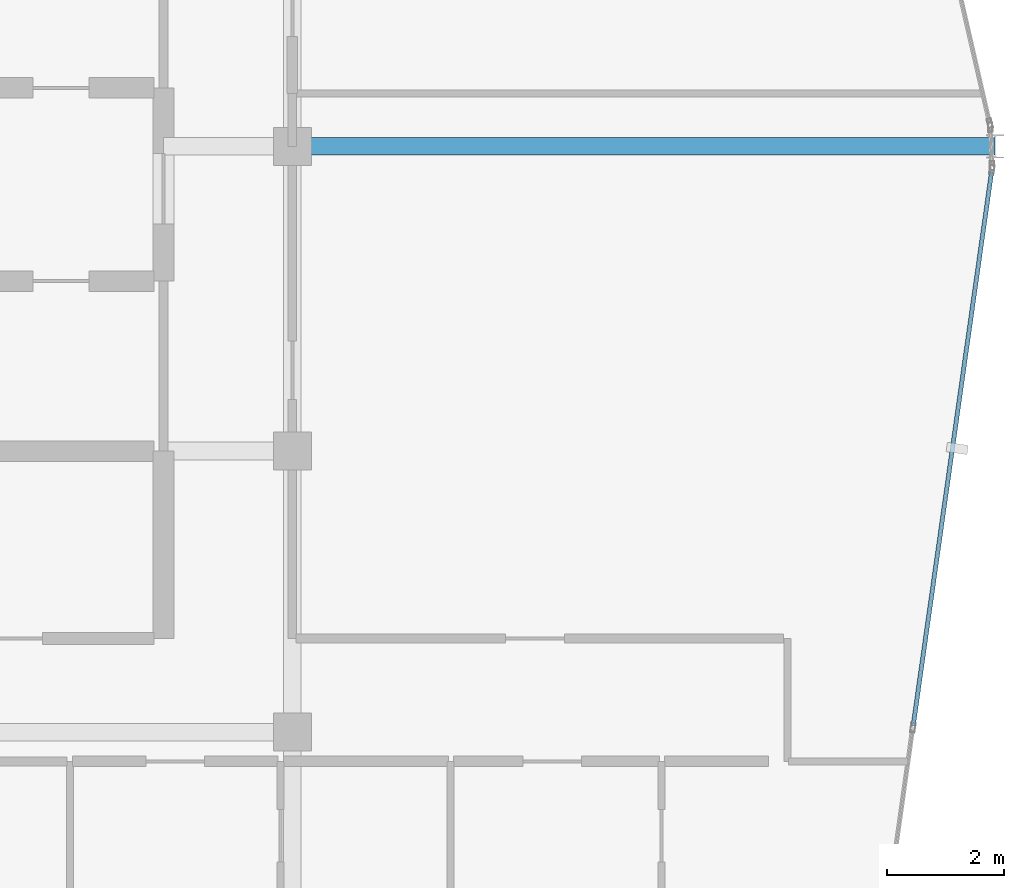
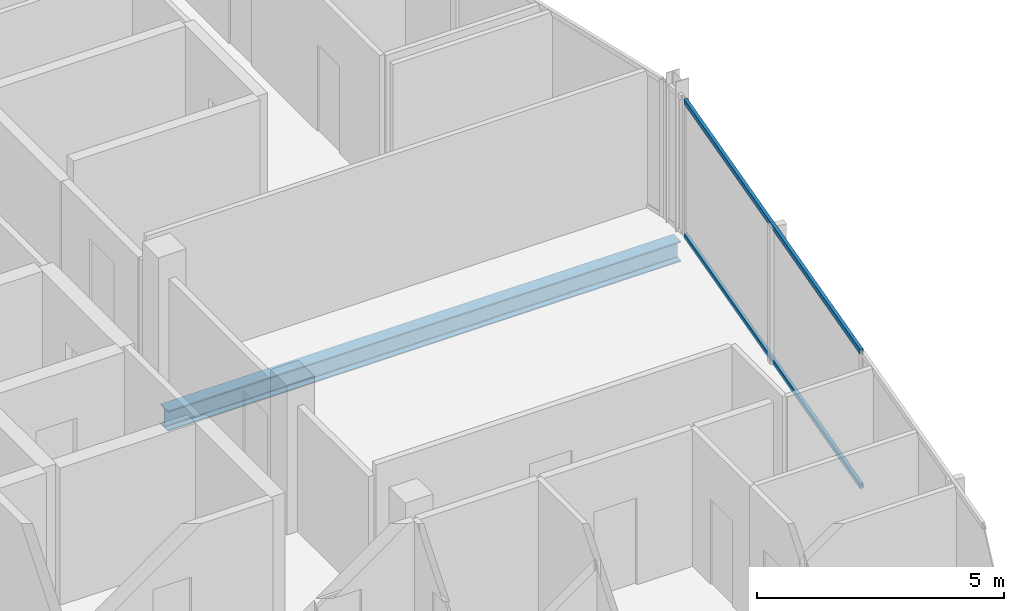
# One storey, part 13 of 28: 2 members, 1 beam, 1 element without a shape of its own.
"""IFC4 building model written with IfcOpenShell, lengths in metres."""

from ifc_helpers import new_model, si_unit, direction, frame, origin, origin_2d, place, context, subcontext, project, spatial, hollow_rectangle, i_section, extrude, material, layer, layer_set, material_profile, profile_set, type_object, element, aggregate, save


model = new_model("IFC4")

# Units and contexts
model_context = context("Model", 3, precision=1e-05, world=origin(), true_north=direction((0.0, 1.0)))
body_context = subcontext(model_context, "Body", "Model", "MODEL_VIEW")
ifc_project = project(units=[si_unit("LENGTHUNIT", "METRE"), si_unit("AREAUNIT", "SQUARE_METRE"), si_unit("VOLUMEUNIT", "CUBIC_METRE"), si_unit("PLANEANGLEUNIT", "RADIAN"), si_unit("MASSUNIT", "GRAM", prefix="KILO")], contexts=[model_context])

# Site, building, storey
site_placement = place(None, origin())
site = spatial("IfcSite", under=ifc_project, at=site_placement, CompositionType="ELEMENT")
building_placement = place(site_placement, origin())
building = spatial("IfcBuilding", under=site, at=building_placement, Name="Keshet Zoharim Tower", CompositionType="ELEMENT")
storey_placement = place(building_placement, frame((0.0, 0.0, 303.60009765625)))
storey = spatial("IfcBuildingStorey", under=building, at=storey_placement, Name="L76", CompositionType="ELEMENT", Elevation=303.60009765625)

# Beam
ifc_material_1 = material(Name="Steel S355", Category="steel")
ifc_material_profile_1 = material_profile(ifc_material_1, i_section(OverallWidth=0.300048828125, OverallDepth=0.5, WebThickness=0.014404296875, FlangeThickness=0.028076171875, FilletRadius=0.027099609375, at=origin_2d()), Name="HEB500")
ifc_profile_set_1 = profile_set([ifc_material_profile_1], Name="Steel S355")
beam_type = type_object("IfcBeamType", Name="BM-MED-HB500", PredefinedType="BEAM", material=ifc_profile_set_1)
beam_placement = place(storey_placement, frame((33.0, 27.89990234375, -0.56005859375), z_axis=(1.0, 0.0, 0.0), x_axis=(0.0, 1.0, 0.0)))
element("IfcBeam", 1, at=beam_placement, inside=storey, type_object=beam_type, Name="L76 Primary Girder X-007", PredefinedType="BEAM", context=body_context, shape_type="SweptSolid", body=[
    extrude(i_section(OverallWidth=0.300048828125, OverallDepth=0.5, WebThickness=0.014404296875, FlangeThickness=0.028076171875, FilletRadius=0.027099609375, at=origin_2d()), origin(), (0.0, 0.0, 1.0), 12.0),
])

# Curtain wall, members
ifc_material_2 = material(Name="Aluminium 6063-T6", Category="aluminium")
ifc_layer = layer(ifc_material_2, 0.260009765625)
ifc_layer_set = layer_set([ifc_layer], Name="Aluminium 6063-T6")
curtain_wall_type = type_object("IfcCurtainWallType", Name="CW-SYS-06", PredefinedType="NOTDEFINED", material=ifc_layer_set)
curtain_wall_placement = place(storey_placement, origin())
curtain_wall = element("IfcCurtainWall", 2, at=curtain_wall_placement, inside=storey, type_object=curtain_wall_type, Name="L76 Unitised Curtain Wall 11", PredefinedType="NOTDEFINED")
ifc_material_profile_2 = material_profile(ifc_material_2, hollow_rectangle(XDim=0.074951171875, YDim=0.1201171875, WallThickness=0.00390625, at=origin_2d()), Name="TRN-75x120")
ifc_profile_set_2 = profile_set([ifc_material_profile_2], Name="Aluminium 6063-T6")
member_type = type_object("IfcMemberType", Name="CWT-T12", PredefinedType="USERDEFINED", material=ifc_profile_set_2)
member_1_placement = place(storey_placement, frame((44.938232421875, 27.462646484375, 0.034912109375), z_axis=(-0.140150169695, -0.990130259074, 0.0), x_axis=(0.990130259074, -0.140150169695, 0.0)))
member_1 = element("IfcMember", 3, at=member_1_placement, type_object=member_type, Name="CW-06 transom 1.1", ObjectType="TRANSOM", PredefinedType="USERDEFINED", context=body_context, shape_type="SweptSolid", body=[
    extrude(hollow_rectangle(XDim=0.074951171875, YDim=0.1201171875, WallThickness=0.00390625, at=origin_2d()), origin(), (0.0, 0.0, 1.0), 9.546142578125),
])
member_2_placement = place(storey_placement, frame((44.938232421875, 27.462646484375, 3.35498046875), z_axis=(-0.140150169695, -0.990130259074, 0.0), x_axis=(0.990130259074, -0.140150169695, 0.0)))
member_2 = element("IfcMember", 4, at=member_2_placement, type_object=member_type, Name="CW-06 transom 1.2", ObjectType="TRANSOM", PredefinedType="USERDEFINED", context=body_context, shape_type="SweptSolid", body=[
    extrude(hollow_rectangle(XDim=0.074951171875, YDim=0.1201171875, WallThickness=0.00390625, at=origin_2d()), origin(), (0.0, 0.0, 1.0), 9.546142578125),
])
aggregate(curtain_wall, [member_1, member_2])

save(model, "model.ifc")
